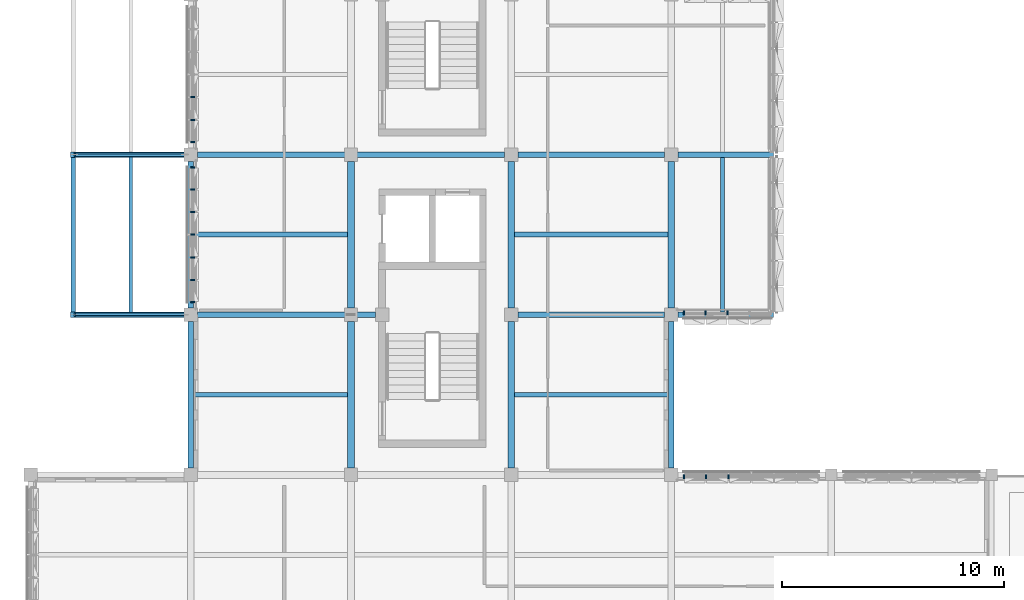
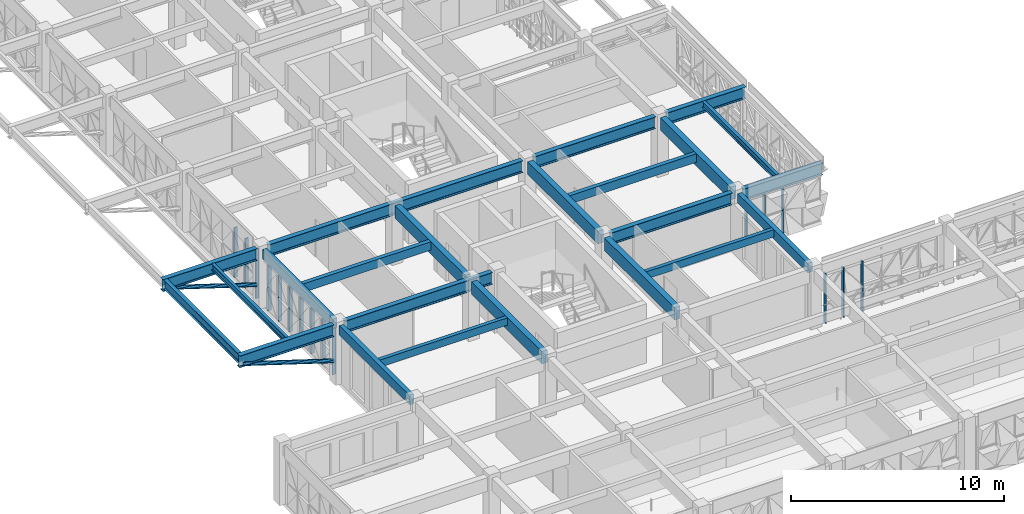
# One storey, part 3 of 99: 23 beams, 18 members, 4 elements without a shape of their own.
"""IFC4 building model written with IfcOpenShell, lengths in metres."""

from ifc_helpers import new_model, si_unit, direction, frame, origin, origin_2d, place, context, subcontext, project, spatial, rectangle, hollow_circle, i_section, extrude, material, material_profile, profile_set, type_object, element, aggregate, save


model = new_model("IFC4")

# Units and contexts
model_context = context("Model", 3, precision=1e-05, world=origin(), true_north=direction((0.0, 1.0)))
body_context = subcontext(model_context, "Body", "Model", "MODEL_VIEW")
ifc_project = project(units=[si_unit("LENGTHUNIT", "METRE"), si_unit("AREAUNIT", "SQUARE_METRE"), si_unit("VOLUMEUNIT", "CUBIC_METRE"), si_unit("PLANEANGLEUNIT", "RADIAN"), si_unit("MASSUNIT", "GRAM", prefix="KILO")], contexts=[model_context])

# Site, building, storey
site_placement = place(None, origin())
site = spatial("IfcSite", under=ifc_project, at=site_placement, CompositionType="ELEMENT")
building_placement = place(site_placement, origin())
building = spatial("IfcBuilding", under=site, at=building_placement, Name="Alvorim Cloister Faculty of Sciences", CompositionType="ELEMENT")
storey_placement = place(building_placement, frame((0.0, 0.0, 12.14990234375)))
storey = spatial("IfcBuildingStorey", under=building, at=storey_placement, Name="L03", CompositionType="ELEMENT", Elevation=12.14990234375)

# Beams
ifc_material_1 = material(Name="Glulam GL32h", Category="wood")
ifc_material_profile_1 = material_profile(ifc_material_1, rectangle(XDim=0.300048828125, YDim=0.719970703125, at=origin_2d()), Name="GL32-BM-300x720")
ifc_profile_set_1 = profile_set([ifc_material_profile_1], Name="Glulam GL32h")
beam_type_1 = type_object("IfcBeamType", Name="BM-GL-300x720", PredefinedType="BEAM", material=ifc_profile_set_1)
for number, where, z_axis, x_axis, name in (
    (1, (14.39990234375, 14.699951171875, 3.030029296875), (0.0, 1.0, 0.0), (-1.0, 0.0, 0.0), "L03 Primary Girder BM-1604"),
    (2, (14.39990234375, 21.89990234375, 3.030029296875), (0.0, 1.0, 0.0), (-1.0, 0.0, 0.0), "L03 Primary Girder BM-1605"),
    (3, (21.60009765625, 14.699951171875, 3.030029296875), (0.0, 1.0, 0.0), (-1.0, 0.0, 0.0), "L03 Primary Girder BM-1620"),
    (4, (21.60009765625, 21.89990234375, 3.030029296875), (0.0, 1.0, 0.0), (-1.0, 0.0, 0.0), "L03 Primary Girder BM-1621"),
    (5, (28.800048828125, 21.89990234375, 3.030029296875), (0.0, 1.0, 0.0), (-1.0, 0.0, 0.0), "L03 Primary Girder BM-1637"),
):
    element("IfcBeam", number, at=place(storey_placement, frame(where, z_axis=z_axis, x_axis=x_axis)), inside=storey, type_object=beam_type_1, Name=name, PredefinedType="BEAM", context=body_context, shape_type="SweptSolid", body=[
        extrude(rectangle(XDim=0.300048828125, YDim=0.719970703125, at=origin_2d()), origin(), (0.0, 0.0, 1.0), 6.60009765625),
    ])
ifc_material_2 = material(Name="Glulam GL28h", Category="wood")
ifc_material_profile_2 = material_profile(ifc_material_2, rectangle(XDim=0.199951171875, YDim=0.419921875, at=origin_2d()), Name="GL28-JST-200x420")
ifc_profile_set_2 = profile_set([ifc_material_profile_2], Name="Glulam GL28h")
beam_type_2 = type_object("IfcBeamType", Name="BM-JST-GL-200x420", PredefinedType="JOIST", material=ifc_profile_set_2)
for number, where, z_axis, x_axis, name in (
    (6, (7.320068359375, 18.0, 3.18017578125), (1.0, 0.0, 0.0), (0.0, 1.0, 0.0), "L03 Secondary Floor Joist BM-1678"),
    (7, (21.75, 18.0, 3.18017578125), (1.0, 0.0, 0.0), (0.0, 1.0, 0.0), "L03 Secondary Floor Joist BM-1702"),
):
    element("IfcBeam", number, at=place(storey_placement, frame(where, z_axis=z_axis, x_axis=x_axis)), inside=storey, type_object=beam_type_2, Name=name, PredefinedType="JOIST", context=body_context, shape_type="SweptSolid", body=[
        extrude(rectangle(XDim=0.199951171875, YDim=0.419921875, at=origin_2d()), origin(), (0.0, 0.0, 1.0), 6.929931640625),
    ])
ifc_material_profile_3 = material_profile(ifc_material_2, rectangle(XDim=0.219970703125, YDim=0.47998046875, at=origin_2d()), Name="GL28-JST-220x480")
ifc_profile_set_3 = profile_set([ifc_material_profile_3], Name="Glulam GL28h")
beam_type_3 = type_object("IfcBeamType", Name="BM-JST-GL-220x480", PredefinedType="JOIST", material=ifc_profile_set_3)
beam_1_placement = place(storey_placement, frame((7.320068359375, 25.199951171875, 3.150146484375), z_axis=(1.0, 0.0, 0.0), x_axis=(0.0, 1.0, 0.0)))
element("IfcBeam", 8, at=beam_1_placement, inside=storey, type_object=beam_type_3, Name="L03 Secondary Floor Joist BM-1679", PredefinedType="JOIST", context=body_context, shape_type="SweptSolid", body=[
    extrude(rectangle(XDim=0.219970703125, YDim=0.47998046875, at=origin_2d()), origin(), (0.0, 0.0, 1.0), 6.929931640625),
])
beam_2_placement = place(storey_placement, frame((21.75, 25.199951171875, 3.150146484375), z_axis=(1.0, 0.0, 0.0), x_axis=(0.0, 1.0, 0.0)))
element("IfcBeam", 9, at=beam_2_placement, inside=storey, type_object=beam_type_3, Name="L03 Secondary Floor Joist BM-1703", PredefinedType="JOIST", context=body_context, shape_type="SweptSolid", body=[
    extrude(rectangle(XDim=0.219970703125, YDim=0.47998046875, at=origin_2d()), origin(), (0.0, 0.0, 1.0), 6.89990234375),
])
ifc_material_profile_4 = material_profile(ifc_material_2, rectangle(XDim=0.239990234375, YDim=0.5400390625, at=origin_2d()), Name="GL28-SPD-240x540")
ifc_profile_set_4 = profile_set([ifc_material_profile_4], Name="Glulam GL28h")
beam_type_4 = type_object("IfcBeamType", Name="BM-SPD-GL-240x540", PredefinedType="SPANDREL", material=ifc_profile_set_4)
for number, where, z_axis, x_axis, name in (
    (10, (7.199951171875, 14.699951171875, 3.1201171875), (0.0, 1.0, 0.0), (-1.0, 0.0, 0.0), "L03 Primary Girder BM-1588"),
    (11, (7.199951171875, 21.89990234375, 3.1201171875), (0.0, 1.0, 0.0), (-1.0, 0.0, 0.0), "L03 Primary Girder BM-1589"),
    (12, (28.800048828125, 14.699951171875, 3.1201171875), (0.0, 1.0, 0.0), (-1.0, 0.0, 0.0), "L03 Primary Girder BM-1636"),
):
    element("IfcBeam", number, at=place(storey_placement, frame(where, z_axis=z_axis, x_axis=x_axis)), inside=storey, type_object=beam_type_4, Name=name, PredefinedType="SPANDREL", context=body_context, shape_type="SweptSolid", body=[
        extrude(rectangle(XDim=0.239990234375, YDim=0.5400390625, at=origin_2d()), origin(), (0.0, 0.0, 1.0), 6.60009765625),
    ])
ifc_material_3 = material(Name="Steel ASTM A572 Grade 50", Category="steel")
ifc_material_profile_5 = material_profile(ifc_material_3, i_section(OverallWidth=0.1708984375, OverallDepth=0.35498046875, WebThickness=0.007080078125, FlangeThickness=0.01171875, FilletRadius=0.012939453125, at=origin_2d()), Name="W360x51.0")
ifc_profile_set_5 = profile_set([ifc_material_profile_5], Name="Steel ASTM A572 Grade 50")
beam_type_5 = type_object("IfcBeamType", Name="BM-STL-W360", PredefinedType="JOIST", material=ifc_profile_set_5)
for number, where, z_axis, x_axis, name in (
    (13, (31.10009765625, 21.7099609375, 3.212646484375), (0.0, 1.0, 0.0), (-1.0, 0.0, 0.0), "L03 Cantilever Deck Joist BM-0028"),
    (14, (4.5, 21.7099609375, 3.212646484375), (0.0, 1.0, 0.0), (-1.0, 0.0, 0.0), "L03 Cantilever Deck Joist BM-0074"),
):
    element("IfcBeam", number, at=place(storey_placement, frame(where, z_axis=z_axis, x_axis=x_axis)), inside=storey, type_object=beam_type_5, Name=name, PredefinedType="JOIST", context=body_context, shape_type="SweptSolid", body=[
        extrude(i_section(OverallWidth=0.1708984375, OverallDepth=0.35498046875, WebThickness=0.007080078125, FlangeThickness=0.01171875, FilletRadius=0.012939453125, at=origin_2d()), origin(), (0.0, 0.0, 1.0), 6.97998046875),
    ])
ifc_material_profile_6 = material_profile(ifc_material_3, i_section(OverallWidth=0.208984375, OverallDepth=0.532958984375, WebThickness=0.01025390625, FlangeThickness=0.015625, FilletRadius=0.01611328125, at=origin_2d()), Name="W530x92.0")
ifc_profile_set_6 = profile_set([ifc_material_profile_6], Name="Steel ASTM A572 Grade 50")
beam_type_6 = type_object("IfcBeamType", Name="BM-STL-W530", PredefinedType="BEAM", material=ifc_profile_set_6)
beam_3_placement = place(storey_placement, frame((1.919921875, 21.7099609375, 3.12353515625), z_axis=(0.0, 1.0, 0.0), x_axis=(-1.0, 0.0, 0.0)))
element("IfcBeam", 15, at=beam_3_placement, inside=storey, type_object=beam_type_6, Name="L03 Cantilever Tip Header Girder BM-0073", PredefinedType="BEAM", context=body_context, shape_type="SweptSolid", body=[
    extrude(i_section(OverallWidth=0.208984375, OverallDepth=0.532958984375, WebThickness=0.01025390625, FlangeThickness=0.015625, FilletRadius=0.01611328125, at=origin_2d()), origin(), (0.0, 0.0, 1.0), 6.97998046875),
])
ifc_material_profile_7 = material_profile(ifc_material_3, i_section(OverallWidth=0.25390625, OverallDepth=0.68408203125, WebThickness=0.012451171875, FlangeThickness=0.01904296875, FilletRadius=0.01904296875, at=origin_2d()), Name="W690x140.0")
ifc_profile_set_7 = profile_set([ifc_material_profile_7], Name="Steel ASTM A572 Grade 50")
beam_type_7 = type_object("IfcBeamType", Name="BM-STL-W690", PredefinedType="BEAM", material=ifc_profile_set_7)
beam_4_placement = place(storey_placement, frame((21.89990234375, 21.60009765625, 3.048095703125), z_axis=(1.0, 0.0, 0.0), x_axis=(0.0, 1.0, 0.0)))
element("IfcBeam", 16, at=beam_4_placement, inside=storey, type_object=beam_type_7, Name="L03 Cantilever Backspan Girder BM-0021", PredefinedType="BEAM", context=body_context, shape_type="SweptSolid", body=[
    extrude(i_section(OverallWidth=0.25390625, OverallDepth=0.68408203125, WebThickness=0.012451171875, FlangeThickness=0.01904296875, FilletRadius=0.01904296875, at=origin_2d()), origin(), (0.0, 0.0, 1.0), 6.60009765625),
])
beam_5_placement = place(storey_placement, frame((29.10009765625, 21.60009765625, 3.048095703125), z_axis=(1.0, 0.0, 0.0), x_axis=(0.0, 1.0, 0.0)))
element("IfcBeam", 17, at=beam_5_placement, inside=storey, type_object=beam_type_7, Name="L03 Cantilever Overhang Girder BM-0022", PredefinedType="BEAM", context=body_context, shape_type="SweptSolid", body=[
    extrude(i_section(OverallWidth=0.25390625, OverallDepth=0.68408203125, WebThickness=0.012451171875, FlangeThickness=0.01904296875, FilletRadius=0.01904296875, at=origin_2d()), origin(), (0.0, 0.0, 1.0), 4.2998046875),
])
beam_6_placement = place(storey_placement, frame((21.89990234375, 28.800048828125, 3.048095703125), z_axis=(1.0, 0.0, 0.0), x_axis=(0.0, 1.0, 0.0)))
element("IfcBeam", 18, at=beam_6_placement, inside=storey, type_object=beam_type_7, Name="L03 Cantilever Backspan Girder BM-0023", PredefinedType="BEAM", context=body_context, shape_type="SweptSolid", body=[
    extrude(i_section(OverallWidth=0.25390625, OverallDepth=0.68408203125, WebThickness=0.012451171875, FlangeThickness=0.01904296875, FilletRadius=0.01904296875, at=origin_2d()), origin(), (0.0, 0.0, 1.0), 6.60009765625),
])
beam_7_placement = place(storey_placement, frame((29.10009765625, 28.800048828125, 3.048095703125), z_axis=(1.0, 0.0, 0.0), x_axis=(0.0, 1.0, 0.0)))
element("IfcBeam", 19, at=beam_7_placement, inside=storey, type_object=beam_type_7, Name="L03 Cantilever Overhang Girder BM-0024", PredefinedType="BEAM", context=body_context, shape_type="SweptSolid", body=[
    extrude(i_section(OverallWidth=0.25390625, OverallDepth=0.68408203125, WebThickness=0.012451171875, FlangeThickness=0.01904296875, FilletRadius=0.01904296875, at=origin_2d()), origin(), (0.0, 0.0, 1.0), 4.2998046875),
])
beam_8_placement = place(storey_placement, frame((7.5, 21.60009765625, 3.048095703125), z_axis=(1.0, 0.0, 0.0), x_axis=(0.0, 1.0, 0.0)))
element("IfcBeam", 20, at=beam_8_placement, inside=storey, type_object=beam_type_7, Name="L03 Cantilever Backspan Girder BM-0061", PredefinedType="BEAM", context=body_context, shape_type="SweptSolid", body=[
    extrude(i_section(OverallWidth=0.25390625, OverallDepth=0.68408203125, WebThickness=0.012451171875, FlangeThickness=0.01904296875, FilletRadius=0.01904296875, at=origin_2d()), origin(), (0.0, 0.0, 1.0), 8.0),
])
beam_9_placement = place(storey_placement, frame((1.800048828125, 21.60009765625, 3.048095703125), z_axis=(1.0, 0.0, 0.0), x_axis=(0.0, 1.0, 0.0)))
element("IfcBeam", 21, at=beam_9_placement, inside=storey, type_object=beam_type_7, Name="L03 Cantilever Overhang Girder BM-0062", PredefinedType="BEAM", context=body_context, shape_type="SweptSolid", body=[
    extrude(i_section(OverallWidth=0.25390625, OverallDepth=0.68408203125, WebThickness=0.012451171875, FlangeThickness=0.01904296875, FilletRadius=0.01904296875, at=origin_2d()), origin(), (0.0, 0.0, 1.0), 5.099853515625),
])
beam_10_placement = place(storey_placement, frame((7.5, 28.800048828125, 3.048095703125), z_axis=(1.0, 0.0, 0.0), x_axis=(0.0, 1.0, 0.0)))
element("IfcBeam", 22, at=beam_10_placement, inside=storey, type_object=beam_type_7, Name="L03 Cantilever Backspan Girder BM-0063", PredefinedType="BEAM", context=body_context, shape_type="SweptSolid", body=[
    extrude(i_section(OverallWidth=0.25390625, OverallDepth=0.68408203125, WebThickness=0.012451171875, FlangeThickness=0.01904296875, FilletRadius=0.01904296875, at=origin_2d()), origin(), (0.0, 0.0, 1.0), 13.800048828125),
])
beam_11_placement = place(storey_placement, frame((1.800048828125, 28.800048828125, 3.048095703125), z_axis=(1.0, 0.0, 0.0), x_axis=(0.0, 1.0, 0.0)))
element("IfcBeam", 23, at=beam_11_placement, inside=storey, type_object=beam_type_7, Name="L03 Cantilever Overhang Girder BM-0064", PredefinedType="BEAM", context=body_context, shape_type="SweptSolid", body=[
    extrude(i_section(OverallWidth=0.25390625, OverallDepth=0.68408203125, WebThickness=0.012451171875, FlangeThickness=0.01904296875, FilletRadius=0.01904296875, at=origin_2d()), origin(), (0.0, 0.0, 1.0), 5.099853515625),
])

# Curtain wall, members
ifc_material_4 = material(Name="Aluminium and Low-E Glass Curtain Wall", Category="aluminium")
curtain_wall_type_1 = type_object("IfcCurtainWallType", Name="CW-TRI-6120x2850", PredefinedType="USERDEFINED", material=ifc_material_4)
curtain_wall_1_placement = place(storey_placement, origin())
curtain_wall_1 = element("IfcCurtainWall", 24, at=curtain_wall_1_placement, inside=storey, type_object=curtain_wall_type_1, Name="L03 Diagonal Cassette Curtain Wall CW-0100", ObjectType="UNITISED CURTAIN WALL", PredefinedType="USERDEFINED")
ifc_material_5 = material(Name="Aluminium Alloy 6063-T6", Category="aluminium")
ifc_material_profile_8 = material_profile(ifc_material_5, rectangle(XDim=0.06494140625, YDim=0.179931640625, at=origin_2d()), Name="ALU-MUL-65x180")
ifc_profile_set_8 = profile_set([ifc_material_profile_8], Name="Aluminium Alloy 6063-T6")
member_type_1 = type_object("IfcMemberType", Name="CW-MUL-65x180", PredefinedType="MULLION", material=ifc_profile_set_8)
member_1_placement = place(storey_placement, frame((7.2900390625, 22.172607421875, 0.0), z_axis=(0.0, 0.0, 1.0), x_axis=(0.0, 1.0, 0.0)))
member_1 = element("IfcMember", 25, at=member_1_placement, type_object=member_type_1, Name="CW-0100 Mullion 1", PredefinedType="MULLION", context=body_context, shape_type="SweptSolid", body=[
    extrude(rectangle(XDim=0.06494140625, YDim=0.179931640625, at=origin_2d()), origin(), (0.0, 0.0, 1.0), 2.85009765625),
])
member_2_placement = place(storey_placement, frame((7.2900390625, 23.159912109375, 0.0), z_axis=(0.0, 0.0, 1.0), x_axis=(0.0, 1.0, 0.0)))
member_2 = element("IfcMember", 26, at=member_2_placement, type_object=member_type_1, Name="CW-0100 Mullion 2", PredefinedType="MULLION", context=body_context, shape_type="SweptSolid", body=[
    extrude(rectangle(XDim=0.06494140625, YDim=0.179931640625, at=origin_2d()), origin(), (0.0, 0.0, 1.0), 2.85009765625),
])
member_3_placement = place(storey_placement, frame((7.2900390625, 24.179931640625, 0.0), z_axis=(0.0, 0.0, 1.0), x_axis=(0.0, 1.0, 0.0)))
member_3 = element("IfcMember", 27, at=member_3_placement, type_object=member_type_1, Name="CW-0100 Mullion 3", PredefinedType="MULLION", context=body_context, shape_type="SweptSolid", body=[
    extrude(rectangle(XDim=0.06494140625, YDim=0.179931640625, at=origin_2d()), origin(), (0.0, 0.0, 1.0), 2.85009765625),
])
member_4_placement = place(storey_placement, frame((7.2900390625, 25.199951171875, 0.0), z_axis=(0.0, 0.0, 1.0), x_axis=(0.0, 1.0, 0.0)))
member_4 = element("IfcMember", 28, at=member_4_placement, type_object=member_type_1, Name="CW-0100 Mullion 4", PredefinedType="MULLION", context=body_context, shape_type="SweptSolid", body=[
    extrude(rectangle(XDim=0.06494140625, YDim=0.179931640625, at=origin_2d()), origin(), (0.0, 0.0, 1.0), 2.85009765625),
])
member_5_placement = place(storey_placement, frame((7.2900390625, 26.219970703125, 0.0), z_axis=(0.0, 0.0, 1.0), x_axis=(0.0, 1.0, 0.0)))
member_5 = element("IfcMember", 29, at=member_5_placement, type_object=member_type_1, Name="CW-0100 Mullion 5", PredefinedType="MULLION", context=body_context, shape_type="SweptSolid", body=[
    extrude(rectangle(XDim=0.06494140625, YDim=0.179931640625, at=origin_2d()), origin(), (0.0, 0.0, 1.0), 2.85009765625),
])
member_6_placement = place(storey_placement, frame((7.2900390625, 27.239990234375, 0.0), z_axis=(0.0, 0.0, 1.0), x_axis=(0.0, 1.0, 0.0)))
member_6 = element("IfcMember", 30, at=member_6_placement, type_object=member_type_1, Name="CW-0100 Mullion 6", PredefinedType="MULLION", context=body_context, shape_type="SweptSolid", body=[
    extrude(rectangle(XDim=0.06494140625, YDim=0.179931640625, at=origin_2d()), origin(), (0.0, 0.0, 1.0), 2.85009765625),
])
member_7_placement = place(storey_placement, frame((7.2900390625, 28.2275390625, 0.0), z_axis=(0.0, 0.0, 1.0), x_axis=(0.0, 1.0, 0.0)))
member_7 = element("IfcMember", 31, at=member_7_placement, type_object=member_type_1, Name="CW-0100 Mullion 7", PredefinedType="MULLION", context=body_context, shape_type="SweptSolid", body=[
    extrude(rectangle(XDim=0.06494140625, YDim=0.179931640625, at=origin_2d()), origin(), (0.0, 0.0, 1.0), 2.85009765625),
])
aggregate(curtain_wall_1, [member_1, member_2, member_3, member_4, member_5, member_6, member_7])

curtain_wall_2_placement = place(storey_placement, origin())
curtain_wall_2 = element("IfcCurtainWall", 32, at=curtain_wall_2_placement, inside=storey, type_object=curtain_wall_type_1, Name="L03 Diagonal Cassette Curtain Wall CW-0101", ObjectType="UNITISED CURTAIN WALL", PredefinedType="USERDEFINED")
member_8_placement = place(storey_placement, frame((7.2900390625, 29.37255859375, 0.0), z_axis=(0.0, 0.0, 1.0), x_axis=(0.0, 1.0, 0.0)))
member_8 = element("IfcMember", 33, at=member_8_placement, type_object=member_type_1, Name="CW-0101 Mullion 1", PredefinedType="MULLION", context=body_context, shape_type="SweptSolid", body=[
    extrude(rectangle(XDim=0.06494140625, YDim=0.179931640625, at=origin_2d()), origin(), (0.0, 0.0, 1.0), 2.85009765625),
])
member_9_placement = place(storey_placement, frame((7.2900390625, 30.360107421875, 0.0), z_axis=(0.0, 0.0, 1.0), x_axis=(0.0, 1.0, 0.0)))
member_9 = element("IfcMember", 34, at=member_9_placement, type_object=member_type_1, Name="CW-0101 Mullion 2", PredefinedType="MULLION", context=body_context, shape_type="SweptSolid", body=[
    extrude(rectangle(XDim=0.06494140625, YDim=0.179931640625, at=origin_2d()), origin(), (0.0, 0.0, 1.0), 2.85009765625),
])
member_10_placement = place(storey_placement, frame((7.2900390625, 31.3798828125, 0.0), z_axis=(0.0, 0.0, 1.0), x_axis=(0.0, 1.0, 0.0)))
member_10 = element("IfcMember", 35, at=member_10_placement, type_object=member_type_1, Name="CW-0101 Mullion 3", PredefinedType="MULLION", context=body_context, shape_type="SweptSolid", body=[
    extrude(rectangle(XDim=0.06494140625, YDim=0.179931640625, at=origin_2d()), origin(), (0.0, 0.0, 1.0), 2.85009765625),
])
aggregate(curtain_wall_2, [member_8, member_9, member_10])

curtain_wall_type_2 = type_object("IfcCurtainWallType", Name="CW-TRI-3980x2706", PredefinedType="USERDEFINED", material=ifc_material_4)
curtain_wall_3_placement = place(storey_placement, origin())
curtain_wall_3 = element("IfcCurtainWall", 36, at=curtain_wall_3_placement, inside=storey, type_object=curtain_wall_type_2, Name="L03 Diagonal Cassette Curtain Wall CW-0143", ObjectType="UNITISED CURTAIN WALL", PredefinedType="USERDEFINED")
member_11_placement = place(storey_placement, frame((29.37255859375, 21.68994140625, 0.0), z_axis=(0.0, 0.0, 1.0), x_axis=(1.0, 0.0, 0.0)))
member_11 = element("IfcMember", 37, at=member_11_placement, type_object=member_type_1, Name="CW-0143 Mullion 1", PredefinedType="MULLION", context=body_context, shape_type="SweptSolid", body=[
    extrude(rectangle(XDim=0.06494140625, YDim=0.179931640625, at=origin_2d()), origin(), (0.0, 0.0, 1.0), 2.7060546875),
])
member_12_placement = place(storey_placement, frame((30.3349609375, 21.68994140625, 0.0), z_axis=(0.0, 0.0, 1.0), x_axis=(1.0, 0.0, 0.0)))
member_12 = element("IfcMember", 38, at=member_12_placement, type_object=member_type_1, Name="CW-0143 Mullion 2", PredefinedType="MULLION", context=body_context, shape_type="SweptSolid", body=[
    extrude(rectangle(XDim=0.06494140625, YDim=0.179931640625, at=origin_2d()), origin(), (0.0, 0.0, 1.0), 2.7060546875),
])
member_13_placement = place(storey_placement, frame((31.330078125, 21.68994140625, 0.0), z_axis=(0.0, 0.0, 1.0), x_axis=(1.0, 0.0, 0.0)))
member_13 = element("IfcMember", 39, at=member_13_placement, type_object=member_type_1, Name="CW-0143 Mullion 3", PredefinedType="MULLION", context=body_context, shape_type="SweptSolid", body=[
    extrude(rectangle(XDim=0.06494140625, YDim=0.179931640625, at=origin_2d()), origin(), (0.0, 0.0, 1.0), 2.7060546875),
])
aggregate(curtain_wall_3, [member_11, member_12, member_13])

curtain_wall_4_placement = place(storey_placement, origin())
curtain_wall_4 = element("IfcCurtainWall", 40, at=curtain_wall_4_placement, inside=storey, type_object=curtain_wall_type_1, Name="L03 Diagonal Cassette Curtain Wall CW-0144", ObjectType="UNITISED CURTAIN WALL", PredefinedType="USERDEFINED")
member_14_placement = place(storey_placement, frame((29.37255859375, 14.31005859375, 0.0), z_axis=(0.0, 0.0, 1.0), x_axis=(1.0, 0.0, 0.0)))
member_14 = element("IfcMember", 41, at=member_14_placement, type_object=member_type_1, Name="CW-0144 Mullion 1", PredefinedType="MULLION", context=body_context, shape_type="SweptSolid", body=[
    extrude(rectangle(XDim=0.06494140625, YDim=0.179931640625, at=origin_2d()), origin(), (0.0, 0.0, 1.0), 2.85009765625),
])
member_15_placement = place(storey_placement, frame((30.360107421875, 14.31005859375, 0.0), z_axis=(0.0, 0.0, 1.0), x_axis=(1.0, 0.0, 0.0)))
member_15 = element("IfcMember", 42, at=member_15_placement, type_object=member_type_1, Name="CW-0144 Mullion 2", PredefinedType="MULLION", context=body_context, shape_type="SweptSolid", body=[
    extrude(rectangle(XDim=0.06494140625, YDim=0.179931640625, at=origin_2d()), origin(), (0.0, 0.0, 1.0), 2.85009765625),
])
member_16_placement = place(storey_placement, frame((31.3798828125, 14.31005859375, 0.0), z_axis=(0.0, 0.0, 1.0), x_axis=(1.0, 0.0, 0.0)))
member_16 = element("IfcMember", 43, at=member_16_placement, type_object=member_type_1, Name="CW-0144 Mullion 3", PredefinedType="MULLION", context=body_context, shape_type="SweptSolid", body=[
    extrude(rectangle(XDim=0.06494140625, YDim=0.179931640625, at=origin_2d()), origin(), (0.0, 0.0, 1.0), 2.85009765625),
])
aggregate(curtain_wall_4, [member_14, member_15, member_16])

# Members
ifc_material_profile_9 = material_profile(ifc_material_3, hollow_circle(Radius=0.109619140625, WallThickness=0.010009765625, at=origin_2d()), Name="CHS219.1x10")
ifc_profile_set_9 = profile_set([ifc_material_profile_9], Name="Steel ASTM A572 Grade 50")
member_type_2 = type_object("IfcMemberType", Name="MB-BRC-CHS219", PredefinedType="BRACE", material=ifc_profile_set_9)
for number, where, z_axis, x_axis, name in (
    (44, (6.919921875, 21.60009765625, 1.25), (-0.953578391509, 0.0, 0.301144900748), (0.0, -1.0, 0.0), "L03 Cantilever Raker Strut MB-0007"),
    (45, (6.919921875, 28.800048828125, 1.25), (-0.953578391509, 0.0, 0.301144900748), (0.0, -1.0, 0.0), "L03 Cantilever Raker Strut MB-0008"),
):
    element("IfcMember", number, at=place(storey_placement, frame(where, z_axis=z_axis, x_axis=x_axis)), inside=storey, type_object=member_type_2, Name=name, PredefinedType="BRACE", context=body_context, shape_type="SweptSolid", body=[
        extrude(hollow_circle(Radius=0.109619140625, WallThickness=0.010009765625, at=origin_2d()), origin(), (0.0, 0.0, 1.0), 5.180419921875),
    ])

save(model, "model.ifc")
